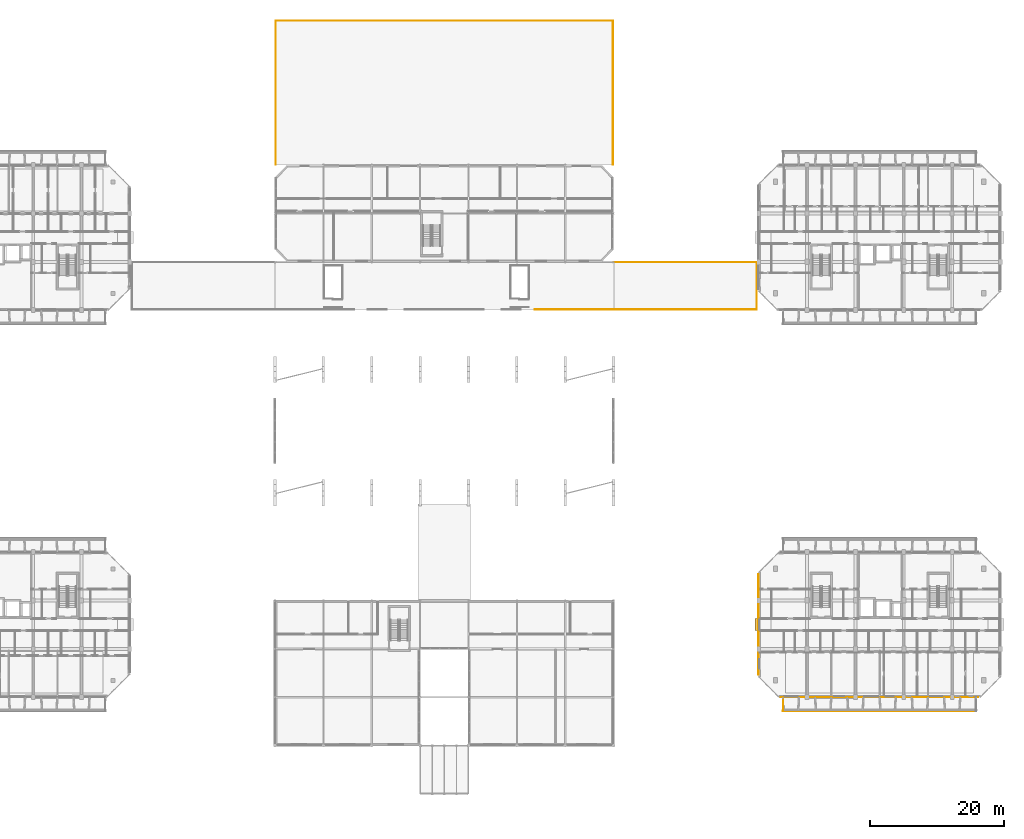
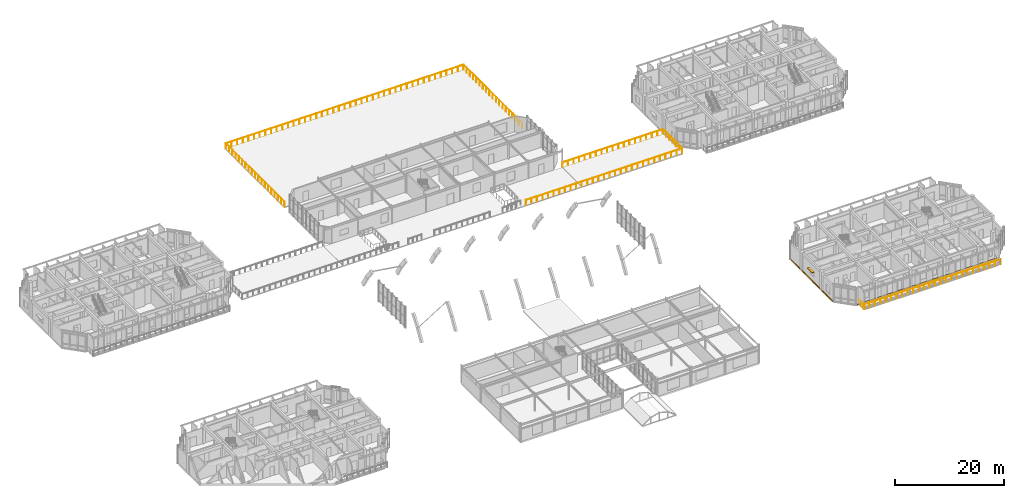
# One storey, part 78 of 85: 5 railings, 2 coverings, 1 shading device.
"""IFC4 building model written with IfcOpenShell, lengths in metres."""

from ifc_helpers import new_model, si_unit, direction, frame, origin, origin_2d, place, context, subcontext, project, spatial, rectangle, circle, extrude, material, layer, layer_set, type_object, element, save


model = new_model("IFC4")

# Units and contexts
model_context = context("Model", 3, precision=1e-05, world=origin(), true_north=direction((0.0, 1.0)))
body_context = subcontext(model_context, "Body", "Model", "MODEL_VIEW")
ifc_project = project(units=[si_unit("LENGTHUNIT", "METRE"), si_unit("AREAUNIT", "SQUARE_METRE"), si_unit("VOLUMEUNIT", "CUBIC_METRE"), si_unit("PLANEANGLEUNIT", "RADIAN"), si_unit("MASSUNIT", "GRAM", prefix="KILO")], contexts=[model_context])

# Site, building, storey
site_placement = place(None, origin())
site = spatial("IfcSite", under=ifc_project, at=site_placement, CompositionType="ELEMENT")
building_placement = place(site_placement, origin())
building = spatial("IfcBuilding", under=site, at=building_placement, Name="Ochrevale Crest", CompositionType="ELEMENT")
storey_placement = place(building_placement, frame((0.0, 0.0, 4.5)))
storey = spatial("IfcBuildingStorey", under=building, at=storey_placement, Name="L01", CompositionType="ELEMENT", Elevation=4.5)

# Coverings
ifc_material_1 = material(Name="Glazed terracotta rainscreen tile", Category="masonry")
ifc_layer = layer(ifc_material_1, 0.048095703125)
ifc_layer_set = layer_set([ifc_layer], Name="Glazed terracotta rainscreen tile")
covering_type = type_object("IfcCoveringType", Name="COV-CLAD-TER", PredefinedType="CLADDING", material=ifc_layer_set)
covering_1_placement = place(storey_placement, frame((147.60009765625, 14.387451171875, -0.26025390625), z_axis=(0.0, 0.0, 1.0), x_axis=(1.0, 0.0, 0.0)))
element("IfcCovering", 1, at=covering_1_placement, inside=storey, type_object=covering_type, Name="Block C L01 terracotta slab-edge spandrel cladding", PredefinedType="CLADDING", context=body_context, shape_type="SweptSolid", body=[
    extrude(rectangle(XDim=29.39990234375, YDim=0.06005859375, at=origin_2d()), origin(), (0.0, 0.0, 1.0), 0.280029296875),
])
covering_2_placement = place(storey_placement, frame((129.58544921875, 25.199951171875, -0.26025390625), z_axis=(0.0, 0.0, 1.0), x_axis=(0.0, -1.0, 0.0)))
element("IfcCovering", 2, at=covering_2_placement, inside=storey, type_object=covering_type, Name="Block C L01 terracotta slab-edge spandrel cladding", PredefinedType="CLADDING", context=body_context, shape_type="SweptSolid", body=[
    extrude(rectangle(XDim=15.0, YDim=0.06005859375, at=origin_2d()), origin(), (0.0, 0.0, 1.0), 0.280029296875),
])

# Railings
ifc_material_2 = material(Name="Galvanised steel", Category="steel")
railing_type_1 = type_object("IfcRailingType", Name="RL-BAL-1100", PredefinedType="BALUSTRADE", material=ifc_material_2)
railing_1_placement = place(storey_placement, frame((133.199951171875, 12.360107421875, 0.0)))
element("IfcRailing", 3, at=railing_1_placement, inside=storey, type_object=railing_type_1, Name="Block C L01 S balcony front balustrade", PredefinedType="BALUSTRADE", context=body_context, shape_type="SweptSolid", body=[
    extrude(circle(Radius=0.02392578125, at=origin_2d()), frame((0.0, 0.0, 1.0859375), z_axis=(1.0, 0.0, 0.0), x_axis=(0.0, 1.0, 0.0)), (0.0, 0.0, 1.0), 28.800048828125),
    extrude(circle(Radius=0.02099609375, at=origin_2d()), origin(), (0.0, 0.0, 1.0), 1.06201171875),
    extrude(circle(Radius=0.02099609375, at=origin_2d()), frame((1.152099609375, 0.0, 0.0)), (0.0, 0.0, 1.0), 1.06201171875),
    extrude(circle(Radius=0.02099609375, at=origin_2d()), frame((2.303955078125, 0.0, 0.0)), (0.0, 0.0, 1.0), 1.06201171875),
    extrude(circle(Radius=0.02099609375, at=origin_2d()), frame((3.4560546875, 0.0, 0.0)), (0.0, 0.0, 1.0), 1.06201171875),
    extrude(circle(Radius=0.02099609375, at=origin_2d()), frame((4.60791015625, 0.0, 0.0)), (0.0, 0.0, 1.0), 1.06201171875),
    extrude(circle(Radius=0.02099609375, at=origin_2d()), frame((5.760009765625, 0.0, 0.0)), (0.0, 0.0, 1.0), 1.06201171875),
    extrude(circle(Radius=0.02099609375, at=origin_2d()), frame((6.912109375, 0.0, 0.0)), (0.0, 0.0, 1.0), 1.06201171875),
    extrude(circle(Radius=0.02099609375, at=origin_2d()), frame((8.06396484375, 0.0, 0.0)), (0.0, 0.0, 1.0), 1.06201171875),
    extrude(circle(Radius=0.02099609375, at=origin_2d()), frame((9.216064453125, 0.0, 0.0)), (0.0, 0.0, 1.0), 1.06201171875),
    extrude(circle(Radius=0.02099609375, at=origin_2d()), frame((10.367919921875, 0.0, 0.0)), (0.0, 0.0, 1.0), 1.06201171875),
    extrude(circle(Radius=0.02099609375, at=origin_2d()), frame((11.52001953125, 0.0, 0.0)), (0.0, 0.0, 1.0), 1.06201171875),
    extrude(circle(Radius=0.02099609375, at=origin_2d()), frame((12.672119140625, 0.0, 0.0)), (0.0, 0.0, 1.0), 1.06201171875),
    extrude(circle(Radius=0.02099609375, at=origin_2d()), frame((13.823974609375, 0.0, 0.0)), (0.0, 0.0, 1.0), 1.06201171875),
    extrude(circle(Radius=0.02099609375, at=origin_2d()), frame((14.97607421875, 0.0, 0.0)), (0.0, 0.0, 1.0), 1.06201171875),
    extrude(circle(Radius=0.02099609375, at=origin_2d()), frame((16.1279296875, 0.0, 0.0)), (0.0, 0.0, 1.0), 1.06201171875),
    extrude(circle(Radius=0.02099609375, at=origin_2d()), frame((17.280029296875, 0.0, 0.0)), (0.0, 0.0, 1.0), 1.06201171875),
    extrude(circle(Radius=0.02099609375, at=origin_2d()), frame((18.43212890625, 0.0, 0.0)), (0.0, 0.0, 1.0), 1.06201171875),
    extrude(circle(Radius=0.02099609375, at=origin_2d()), frame((19.583984375, 0.0, 0.0)), (0.0, 0.0, 1.0), 1.06201171875),
    extrude(circle(Radius=0.02099609375, at=origin_2d()), frame((20.736083984375, 0.0, 0.0)), (0.0, 0.0, 1.0), 1.06201171875),
    extrude(circle(Radius=0.02099609375, at=origin_2d()), frame((21.887939453125, 0.0, 0.0)), (0.0, 0.0, 1.0), 1.06201171875),
    extrude(circle(Radius=0.02099609375, at=origin_2d()), frame((23.0400390625, 0.0, 0.0)), (0.0, 0.0, 1.0), 1.06201171875),
    extrude(circle(Radius=0.02099609375, at=origin_2d()), frame((24.192138671875, 0.0, 0.0)), (0.0, 0.0, 1.0), 1.06201171875),
    extrude(circle(Radius=0.02099609375, at=origin_2d()), frame((25.343994140625, 0.0, 0.0)), (0.0, 0.0, 1.0), 1.06201171875),
    extrude(circle(Radius=0.02099609375, at=origin_2d()), frame((26.49609375, 0.0, 0.0)), (0.0, 0.0, 1.0), 1.06201171875),
    extrude(circle(Radius=0.02099609375, at=origin_2d()), frame((27.64794921875, 0.0, 0.0)), (0.0, 0.0, 1.0), 1.06201171875),
    extrude(circle(Radius=0.02099609375, at=origin_2d()), frame((28.800048828125, 0.0, 0.0)), (0.0, 0.0, 1.0), 1.06201171875),
])
railing_2_placement = place(storey_placement, frame((133.260009765625, 14.39990234375, 0.0)))
element("IfcRailing", 4, at=railing_2_placement, inside=storey, type_object=railing_type_1, Name="Block C L01 S-W balcony side guard", PredefinedType="BALUSTRADE", context=body_context, shape_type="SweptSolid", body=[
    extrude(circle(Radius=0.02392578125, at=origin_2d()), frame((0.0, 0.0, 1.0859375), z_axis=(0.0, -1.0, 0.0), x_axis=(1.0, 0.0, 0.0)), (0.0, 0.0, 1.0), 2.039794921875),
    extrude(circle(Radius=0.02099609375, at=origin_2d()), origin(), (0.0, 0.0, 1.0), 1.06201171875),
    extrude(circle(Radius=0.02099609375, at=origin_2d()), frame((0.0, -1.02001953125, 0.0)), (0.0, 0.0, 1.0), 1.06201171875),
    extrude(circle(Radius=0.02099609375, at=origin_2d()), frame((0.0, -2.039794921875, 0.0)), (0.0, 0.0, 1.0), 1.06201171875),
])
railing_type_2 = type_object("IfcRailingType", Name="RL-PLAY-1200", PredefinedType="BALUSTRADE", material=ifc_material_2)
railing_3_placement = place(storey_placement, frame((57.699951171875, 93.64990234375, 0.0)))
element("IfcRailing", 5, at=railing_3_placement, inside=storey, type_object=railing_type_2, Name="ECEC Reg 104 child-safe play-terrace perimeter balustrade", PredefinedType="BALUSTRADE", context=body_context, shape_type="SweptSolid", body=[
    extrude(circle(Radius=0.02392578125, at=origin_2d()), frame((0.0, 0.0, 1.17578125), z_axis=(0.0, 1.0, 0.0), x_axis=(-1.0, 0.0, 0.0)), (0.0, 0.0, 1.0), 21.4501953125),
    extrude(circle(Radius=0.02392578125, at=origin_2d()), frame((0.0, 21.4501953125, 1.17578125), z_axis=(1.0, 0.0, 0.0), x_axis=(0.0, 1.0, 0.0)), (0.0, 0.0, 1.0), 50.199951171875),
    extrude(circle(Radius=0.02392578125, at=origin_2d()), frame((50.199951171875, 21.4501953125, 1.17578125), z_axis=(0.0, -1.0, 0.0), x_axis=(1.0, 0.0, 0.0)), (0.0, 0.0, 1.0), 21.4501953125),
    extrude(circle(Radius=0.02099609375, at=origin_2d()), origin(), (0.0, 0.0, 1.0), 1.15185546875),
    extrude(circle(Radius=0.02099609375, at=origin_2d()), frame((0.0, 1.191650390625, 0.0)), (0.0, 0.0, 1.0), 1.15185546875),
    extrude(circle(Radius=0.02099609375, at=origin_2d()), frame((0.0, 2.38330078125, 0.0)), (0.0, 0.0, 1.0), 1.15185546875),
    extrude(circle(Radius=0.02099609375, at=origin_2d()), frame((0.0, 3.574951171875, 0.0)), (0.0, 0.0, 1.0), 1.15185546875),
    extrude(circle(Radius=0.02099609375, at=origin_2d()), frame((0.0, 4.7666015625, 0.0)), (0.0, 0.0, 1.0), 1.15185546875),
    extrude(circle(Radius=0.02099609375, at=origin_2d()), frame((0.0, 5.95849609375, 0.0)), (0.0, 0.0, 1.0), 1.15185546875),
    extrude(circle(Radius=0.02099609375, at=origin_2d()), frame((0.0, 7.150146484375, 0.0)), (0.0, 0.0, 1.0), 1.15185546875),
    extrude(circle(Radius=0.02099609375, at=origin_2d()), frame((0.0, 8.341796875, 0.0)), (0.0, 0.0, 1.0), 1.15185546875),
    extrude(circle(Radius=0.02099609375, at=origin_2d()), frame((0.0, 9.533447265625, 0.0)), (0.0, 0.0, 1.0), 1.15185546875),
    extrude(circle(Radius=0.02099609375, at=origin_2d()), frame((0.0, 10.72509765625, 0.0)), (0.0, 0.0, 1.0), 1.15185546875),
    extrude(circle(Radius=0.02099609375, at=origin_2d()), frame((0.0, 11.916748046875, 0.0)), (0.0, 0.0, 1.0), 1.15185546875),
    extrude(circle(Radius=0.02099609375, at=origin_2d()), frame((0.0, 13.1083984375, 0.0)), (0.0, 0.0, 1.0), 1.15185546875),
    extrude(circle(Radius=0.02099609375, at=origin_2d()), frame((0.0, 14.300048828125, 0.0)), (0.0, 0.0, 1.0), 1.15185546875),
    extrude(circle(Radius=0.02099609375, at=origin_2d()), frame((0.0, 15.49169921875, 0.0)), (0.0, 0.0, 1.0), 1.15185546875),
    extrude(circle(Radius=0.02099609375, at=origin_2d()), frame((0.0, 16.68359375, 0.0)), (0.0, 0.0, 1.0), 1.15185546875),
    extrude(circle(Radius=0.02099609375, at=origin_2d()), frame((0.0, 17.875244140625, 0.0)), (0.0, 0.0, 1.0), 1.15185546875),
    extrude(circle(Radius=0.02099609375, at=origin_2d()), frame((0.0, 19.06689453125, 0.0)), (0.0, 0.0, 1.0), 1.15185546875),
    extrude(circle(Radius=0.02099609375, at=origin_2d()), frame((0.0, 20.258544921875, 0.0)), (0.0, 0.0, 1.0), 1.15185546875),
    extrude(circle(Radius=0.02099609375, at=origin_2d()), frame((0.0, 21.4501953125, 0.0)), (0.0, 0.0, 1.0), 1.15185546875),
    extrude(circle(Radius=0.02099609375, at=origin_2d()), frame((1.1953125, 21.4501953125, 0.0)), (0.0, 0.0, 1.0), 1.15185546875),
    extrude(circle(Radius=0.02099609375, at=origin_2d()), frame((2.390380859375, 21.4501953125, 0.0)), (0.0, 0.0, 1.0), 1.15185546875),
    extrude(circle(Radius=0.02099609375, at=origin_2d()), frame((3.585693359375, 21.4501953125, 0.0)), (0.0, 0.0, 1.0), 1.15185546875),
    extrude(circle(Radius=0.02099609375, at=origin_2d()), frame((4.781005859375, 21.4501953125, 0.0)), (0.0, 0.0, 1.0), 1.15185546875),
    extrude(circle(Radius=0.02099609375, at=origin_2d()), frame((5.97607421875, 21.4501953125, 0.0)), (0.0, 0.0, 1.0), 1.15185546875),
    extrude(circle(Radius=0.02099609375, at=origin_2d()), frame((7.17138671875, 21.4501953125, 0.0)), (0.0, 0.0, 1.0), 1.15185546875),
    extrude(circle(Radius=0.02099609375, at=origin_2d()), frame((8.36669921875, 21.4501953125, 0.0)), (0.0, 0.0, 1.0), 1.15185546875),
    extrude(circle(Radius=0.02099609375, at=origin_2d()), frame((9.56201171875, 21.4501953125, 0.0)), (0.0, 0.0, 1.0), 1.15185546875),
    extrude(circle(Radius=0.02099609375, at=origin_2d()), frame((10.757080078125, 21.4501953125, 0.0)), (0.0, 0.0, 1.0), 1.15185546875),
    extrude(circle(Radius=0.02099609375, at=origin_2d()), frame((11.952392578125, 21.4501953125, 0.0)), (0.0, 0.0, 1.0), 1.15185546875),
    extrude(circle(Radius=0.02099609375, at=origin_2d()), frame((13.147705078125, 21.4501953125, 0.0)), (0.0, 0.0, 1.0), 1.15185546875),
    extrude(circle(Radius=0.02099609375, at=origin_2d()), frame((14.3427734375, 21.4501953125, 0.0)), (0.0, 0.0, 1.0), 1.15185546875),
    extrude(circle(Radius=0.02099609375, at=origin_2d()), frame((15.5380859375, 21.4501953125, 0.0)), (0.0, 0.0, 1.0), 1.15185546875),
    extrude(circle(Radius=0.02099609375, at=origin_2d()), frame((16.7333984375, 21.4501953125, 0.0)), (0.0, 0.0, 1.0), 1.15185546875),
    extrude(circle(Radius=0.02099609375, at=origin_2d()), frame((17.928466796875, 21.4501953125, 0.0)), (0.0, 0.0, 1.0), 1.15185546875),
    extrude(circle(Radius=0.02099609375, at=origin_2d()), frame((19.123779296875, 21.4501953125, 0.0)), (0.0, 0.0, 1.0), 1.15185546875),
    extrude(circle(Radius=0.02099609375, at=origin_2d()), frame((20.319091796875, 21.4501953125, 0.0)), (0.0, 0.0, 1.0), 1.15185546875),
    extrude(circle(Radius=0.02099609375, at=origin_2d()), frame((21.51416015625, 21.4501953125, 0.0)), (0.0, 0.0, 1.0), 1.15185546875),
    extrude(circle(Radius=0.02099609375, at=origin_2d()), frame((22.70947265625, 21.4501953125, 0.0)), (0.0, 0.0, 1.0), 1.15185546875),
    extrude(circle(Radius=0.02099609375, at=origin_2d()), frame((23.90478515625, 21.4501953125, 0.0)), (0.0, 0.0, 1.0), 1.15185546875),
    extrude(circle(Radius=0.02099609375, at=origin_2d()), frame((25.10009765625, 21.4501953125, 0.0)), (0.0, 0.0, 1.0), 1.15185546875),
    extrude(circle(Radius=0.02099609375, at=origin_2d()), frame((26.295166015625, 21.4501953125, 0.0)), (0.0, 0.0, 1.0), 1.15185546875),
    extrude(circle(Radius=0.02099609375, at=origin_2d()), frame((27.490478515625, 21.4501953125, 0.0)), (0.0, 0.0, 1.0), 1.15185546875),
    extrude(circle(Radius=0.02099609375, at=origin_2d()), frame((28.685791015625, 21.4501953125, 0.0)), (0.0, 0.0, 1.0), 1.15185546875),
    extrude(circle(Radius=0.02099609375, at=origin_2d()), frame((29.880859375, 21.4501953125, 0.0)), (0.0, 0.0, 1.0), 1.15185546875),
    extrude(circle(Radius=0.02099609375, at=origin_2d()), frame((31.076171875, 21.4501953125, 0.0)), (0.0, 0.0, 1.0), 1.15185546875),
    extrude(circle(Radius=0.02099609375, at=origin_2d()), frame((32.271484375, 21.4501953125, 0.0)), (0.0, 0.0, 1.0), 1.15185546875),
    extrude(circle(Radius=0.02099609375, at=origin_2d()), frame((33.466552734375, 21.4501953125, 0.0)), (0.0, 0.0, 1.0), 1.15185546875),
    extrude(circle(Radius=0.02099609375, at=origin_2d()), frame((34.661865234375, 21.4501953125, 0.0)), (0.0, 0.0, 1.0), 1.15185546875),
    extrude(circle(Radius=0.02099609375, at=origin_2d()), frame((35.857177734375, 21.4501953125, 0.0)), (0.0, 0.0, 1.0), 1.15185546875),
    extrude(circle(Radius=0.02099609375, at=origin_2d()), frame((37.05224609375, 21.4501953125, 0.0)), (0.0, 0.0, 1.0), 1.15185546875),
    extrude(circle(Radius=0.02099609375, at=origin_2d()), frame((38.24755859375, 21.4501953125, 0.0)), (0.0, 0.0, 1.0), 1.15185546875),
    extrude(circle(Radius=0.02099609375, at=origin_2d()), frame((39.44287109375, 21.4501953125, 0.0)), (0.0, 0.0, 1.0), 1.15185546875),
    extrude(circle(Radius=0.02099609375, at=origin_2d()), frame((40.637939453125, 21.4501953125, 0.0)), (0.0, 0.0, 1.0), 1.15185546875),
    extrude(circle(Radius=0.02099609375, at=origin_2d()), frame((41.833251953125, 21.4501953125, 0.0)), (0.0, 0.0, 1.0), 1.15185546875),
    extrude(circle(Radius=0.02099609375, at=origin_2d()), frame((43.028564453125, 21.4501953125, 0.0)), (0.0, 0.0, 1.0), 1.15185546875),
    extrude(circle(Radius=0.02099609375, at=origin_2d()), frame((44.223876953125, 21.4501953125, 0.0)), (0.0, 0.0, 1.0), 1.15185546875),
    extrude(circle(Radius=0.02099609375, at=origin_2d()), frame((45.4189453125, 21.4501953125, 0.0)), (0.0, 0.0, 1.0), 1.15185546875),
    extrude(circle(Radius=0.02099609375, at=origin_2d()), frame((46.6142578125, 21.4501953125, 0.0)), (0.0, 0.0, 1.0), 1.15185546875),
    extrude(circle(Radius=0.02099609375, at=origin_2d()), frame((47.8095703125, 21.4501953125, 0.0)), (0.0, 0.0, 1.0), 1.15185546875),
    extrude(circle(Radius=0.02099609375, at=origin_2d()), frame((49.004638671875, 21.4501953125, 0.0)), (0.0, 0.0, 1.0), 1.15185546875),
    extrude(circle(Radius=0.02099609375, at=origin_2d()), frame((50.199951171875, 21.4501953125, 0.0)), (0.0, 0.0, 1.0), 1.15185546875),
    extrude(circle(Radius=0.02099609375, at=origin_2d()), frame((50.199951171875, 20.258544921875, 0.0)), (0.0, 0.0, 1.0), 1.15185546875),
    extrude(circle(Radius=0.02099609375, at=origin_2d()), frame((50.199951171875, 19.06689453125, 0.0)), (0.0, 0.0, 1.0), 1.15185546875),
    extrude(circle(Radius=0.02099609375, at=origin_2d()), frame((50.199951171875, 17.875244140625, 0.0)), (0.0, 0.0, 1.0), 1.15185546875),
    extrude(circle(Radius=0.02099609375, at=origin_2d()), frame((50.199951171875, 16.68359375, 0.0)), (0.0, 0.0, 1.0), 1.15185546875),
    extrude(circle(Radius=0.02099609375, at=origin_2d()), frame((50.199951171875, 15.49169921875, 0.0)), (0.0, 0.0, 1.0), 1.15185546875),
    extrude(circle(Radius=0.02099609375, at=origin_2d()), frame((50.199951171875, 14.300048828125, 0.0)), (0.0, 0.0, 1.0), 1.15185546875),
    extrude(circle(Radius=0.02099609375, at=origin_2d()), frame((50.199951171875, 13.1083984375, 0.0)), (0.0, 0.0, 1.0), 1.15185546875),
    extrude(circle(Radius=0.02099609375, at=origin_2d()), frame((50.199951171875, 11.916748046875, 0.0)), (0.0, 0.0, 1.0), 1.15185546875),
    extrude(circle(Radius=0.02099609375, at=origin_2d()), frame((50.199951171875, 10.72509765625, 0.0)), (0.0, 0.0, 1.0), 1.15185546875),
    extrude(circle(Radius=0.02099609375, at=origin_2d()), frame((50.199951171875, 9.533447265625, 0.0)), (0.0, 0.0, 1.0), 1.15185546875),
    extrude(circle(Radius=0.02099609375, at=origin_2d()), frame((50.199951171875, 8.341796875, 0.0)), (0.0, 0.0, 1.0), 1.15185546875),
    extrude(circle(Radius=0.02099609375, at=origin_2d()), frame((50.199951171875, 7.150146484375, 0.0)), (0.0, 0.0, 1.0), 1.15185546875),
    extrude(circle(Radius=0.02099609375, at=origin_2d()), frame((50.199951171875, 5.95849609375, 0.0)), (0.0, 0.0, 1.0), 1.15185546875),
    extrude(circle(Radius=0.02099609375, at=origin_2d()), frame((50.199951171875, 4.7666015625, 0.0)), (0.0, 0.0, 1.0), 1.15185546875),
    extrude(circle(Radius=0.02099609375, at=origin_2d()), frame((50.199951171875, 3.574951171875, 0.0)), (0.0, 0.0, 1.0), 1.15185546875),
    extrude(circle(Radius=0.02099609375, at=origin_2d()), frame((50.199951171875, 2.38330078125, 0.0)), (0.0, 0.0, 1.0), 1.15185546875),
    extrude(circle(Radius=0.02099609375, at=origin_2d()), frame((50.199951171875, 1.191650390625, 0.0)), (0.0, 0.0, 1.0), 1.15185546875),
    extrude(circle(Radius=0.02099609375, at=origin_2d()), frame((50.199951171875, 0.0, 0.0)), (0.0, 0.0, 1.0), 1.15185546875),
])
railing_type_3 = type_object("IfcRailingType", Name="RL-TER-1120", PredefinedType="BALUSTRADE", material=ifc_material_2)
railing_4_placement = place(storey_placement, frame((96.25, 72.10009765625, 0.0)))
element("IfcRailing", 6, at=railing_4_placement, inside=storey, type_object=railing_type_3, Name="Step 3 promenade south balustrade 5", PredefinedType="BALUSTRADE", context=body_context, shape_type="SweptSolid", body=[
    extrude(circle(Radius=0.02392578125, at=origin_2d()), frame((0.0, 0.0, 1.09619140625), z_axis=(1.0, 0.0, 0.0), x_axis=(0.0, 1.0, 0.0)), (0.0, 0.0, 1.0), 33.050048828125),
    extrude(circle(Radius=0.02099609375, at=origin_2d()), origin(), (0.0, 0.0, 1.0), 1.072021484375),
    extrude(circle(Radius=0.02099609375, at=origin_2d()), frame((1.180419921875, 0.0, 0.0)), (0.0, 0.0, 1.0), 1.072021484375),
    extrude(circle(Radius=0.02099609375, at=origin_2d()), frame((2.36083984375, 0.0, 0.0)), (0.0, 0.0, 1.0), 1.072021484375),
    extrude(circle(Radius=0.02099609375, at=origin_2d()), frame((3.541015625, 0.0, 0.0)), (0.0, 0.0, 1.0), 1.072021484375),
    extrude(circle(Radius=0.02099609375, at=origin_2d()), frame((4.721435546875, 0.0, 0.0)), (0.0, 0.0, 1.0), 1.072021484375),
    extrude(circle(Radius=0.02099609375, at=origin_2d()), frame((5.90185546875, 0.0, 0.0)), (0.0, 0.0, 1.0), 1.072021484375),
    extrude(circle(Radius=0.02099609375, at=origin_2d()), frame((7.08203125, 0.0, 0.0)), (0.0, 0.0, 1.0), 1.072021484375),
    extrude(circle(Radius=0.02099609375, at=origin_2d()), frame((8.262451171875, 0.0, 0.0)), (0.0, 0.0, 1.0), 1.072021484375),
    extrude(circle(Radius=0.02099609375, at=origin_2d()), frame((9.44287109375, 0.0, 0.0)), (0.0, 0.0, 1.0), 1.072021484375),
    extrude(circle(Radius=0.02099609375, at=origin_2d()), frame((10.623291015625, 0.0, 0.0)), (0.0, 0.0, 1.0), 1.072021484375),
    extrude(circle(Radius=0.02099609375, at=origin_2d()), frame((11.8037109375, 0.0, 0.0)), (0.0, 0.0, 1.0), 1.072021484375),
    extrude(circle(Radius=0.02099609375, at=origin_2d()), frame((12.98388671875, 0.0, 0.0)), (0.0, 0.0, 1.0), 1.072021484375),
    extrude(circle(Radius=0.02099609375, at=origin_2d()), frame((14.164306640625, 0.0, 0.0)), (0.0, 0.0, 1.0), 1.072021484375),
    extrude(circle(Radius=0.02099609375, at=origin_2d()), frame((15.3447265625, 0.0, 0.0)), (0.0, 0.0, 1.0), 1.072021484375),
    extrude(circle(Radius=0.02099609375, at=origin_2d()), frame((16.52490234375, 0.0, 0.0)), (0.0, 0.0, 1.0), 1.072021484375),
    extrude(circle(Radius=0.02099609375, at=origin_2d()), frame((17.705322265625, 0.0, 0.0)), (0.0, 0.0, 1.0), 1.072021484375),
    extrude(circle(Radius=0.02099609375, at=origin_2d()), frame((18.8857421875, 0.0, 0.0)), (0.0, 0.0, 1.0), 1.072021484375),
    extrude(circle(Radius=0.02099609375, at=origin_2d()), frame((20.066162109375, 0.0, 0.0)), (0.0, 0.0, 1.0), 1.072021484375),
    extrude(circle(Radius=0.02099609375, at=origin_2d()), frame((21.24658203125, 0.0, 0.0)), (0.0, 0.0, 1.0), 1.072021484375),
    extrude(circle(Radius=0.02099609375, at=origin_2d()), frame((22.4267578125, 0.0, 0.0)), (0.0, 0.0, 1.0), 1.072021484375),
    extrude(circle(Radius=0.02099609375, at=origin_2d()), frame((23.607177734375, 0.0, 0.0)), (0.0, 0.0, 1.0), 1.072021484375),
    extrude(circle(Radius=0.02099609375, at=origin_2d()), frame((24.78759765625, 0.0, 0.0)), (0.0, 0.0, 1.0), 1.072021484375),
    extrude(circle(Radius=0.02099609375, at=origin_2d()), frame((25.9677734375, 0.0, 0.0)), (0.0, 0.0, 1.0), 1.072021484375),
    extrude(circle(Radius=0.02099609375, at=origin_2d()), frame((27.148193359375, 0.0, 0.0)), (0.0, 0.0, 1.0), 1.072021484375),
    extrude(circle(Radius=0.02099609375, at=origin_2d()), frame((28.32861328125, 0.0, 0.0)), (0.0, 0.0, 1.0), 1.072021484375),
    extrude(circle(Radius=0.02099609375, at=origin_2d()), frame((29.509033203125, 0.0, 0.0)), (0.0, 0.0, 1.0), 1.072021484375),
    extrude(circle(Radius=0.02099609375, at=origin_2d()), frame((30.689453125, 0.0, 0.0)), (0.0, 0.0, 1.0), 1.072021484375),
    extrude(circle(Radius=0.02099609375, at=origin_2d()), frame((31.86962890625, 0.0, 0.0)), (0.0, 0.0, 1.0), 1.072021484375),
    extrude(circle(Radius=0.02099609375, at=origin_2d()), frame((33.050048828125, 0.0, 0.0)), (0.0, 0.0, 1.0), 1.072021484375),
])
railing_5_placement = place(storey_placement, frame((129.300048828125, 72.10009765625, 0.0)))
element("IfcRailing", 7, at=railing_5_placement, inside=storey, type_object=railing_type_3, Name="Step 3 promenade east balustrade", PredefinedType="BALUSTRADE", context=body_context, shape_type="SweptSolid", body=[
    extrude(circle(Radius=0.02392578125, at=origin_2d()), frame((0.0, 0.0, 1.09619140625), z_axis=(0.0, 1.0, 0.0), x_axis=(-1.0, 0.0, 0.0)), (0.0, 0.0, 1.0), 7.0498046875),
    extrude(circle(Radius=0.02392578125, at=origin_2d()), frame((0.0, 7.0498046875, 1.09619140625), z_axis=(-1.0, 0.0, 0.0), x_axis=(0.0, -1.0, 0.0)), (0.0, 0.0, 1.0), 21.25),
    extrude(circle(Radius=0.02099609375, at=origin_2d()), origin(), (0.0, 0.0, 1.0), 1.072021484375),
    extrude(circle(Radius=0.02099609375, at=origin_2d()), frame((0.0, 1.175048828125, 0.0)), (0.0, 0.0, 1.0), 1.072021484375),
    extrude(circle(Radius=0.02099609375, at=origin_2d()), frame((0.0, 2.349853515625, 0.0)), (0.0, 0.0, 1.0), 1.072021484375),
    extrude(circle(Radius=0.02099609375, at=origin_2d()), frame((0.0, 3.52490234375, 0.0)), (0.0, 0.0, 1.0), 1.072021484375),
    extrude(circle(Radius=0.02099609375, at=origin_2d()), frame((0.0, 4.699951171875, 0.0)), (0.0, 0.0, 1.0), 1.072021484375),
    extrude(circle(Radius=0.02099609375, at=origin_2d()), frame((0.0, 5.874755859375, 0.0)), (0.0, 0.0, 1.0), 1.072021484375),
    extrude(circle(Radius=0.02099609375, at=origin_2d()), frame((0.0, 7.0498046875, 0.0)), (0.0, 0.0, 1.0), 1.072021484375),
    extrude(circle(Radius=0.02099609375, at=origin_2d()), frame((-1.1806640625, 7.0498046875, 0.0)), (0.0, 0.0, 1.0), 1.072021484375),
    extrude(circle(Radius=0.02099609375, at=origin_2d()), frame((-2.361083984375, 7.0498046875, 0.0)), (0.0, 0.0, 1.0), 1.072021484375),
    extrude(circle(Radius=0.02099609375, at=origin_2d()), frame((-3.541748046875, 7.0498046875, 0.0)), (0.0, 0.0, 1.0), 1.072021484375),
    extrude(circle(Radius=0.02099609375, at=origin_2d()), frame((-4.72216796875, 7.0498046875, 0.0)), (0.0, 0.0, 1.0), 1.072021484375),
    extrude(circle(Radius=0.02099609375, at=origin_2d()), frame((-5.90283203125, 7.0498046875, 0.0)), (0.0, 0.0, 1.0), 1.072021484375),
    extrude(circle(Radius=0.02099609375, at=origin_2d()), frame((-7.083251953125, 7.0498046875, 0.0)), (0.0, 0.0, 1.0), 1.072021484375),
    extrude(circle(Radius=0.02099609375, at=origin_2d()), frame((-8.263916015625, 7.0498046875, 0.0)), (0.0, 0.0, 1.0), 1.072021484375),
    extrude(circle(Radius=0.02099609375, at=origin_2d()), frame((-9.4443359375, 7.0498046875, 0.0)), (0.0, 0.0, 1.0), 1.072021484375),
    extrude(circle(Radius=0.02099609375, at=origin_2d()), frame((-10.625, 7.0498046875, 0.0)), (0.0, 0.0, 1.0), 1.072021484375),
    extrude(circle(Radius=0.02099609375, at=origin_2d()), frame((-11.8056640625, 7.0498046875, 0.0)), (0.0, 0.0, 1.0), 1.072021484375),
    extrude(circle(Radius=0.02099609375, at=origin_2d()), frame((-12.986083984375, 7.0498046875, 0.0)), (0.0, 0.0, 1.0), 1.072021484375),
    extrude(circle(Radius=0.02099609375, at=origin_2d()), frame((-14.166748046875, 7.0498046875, 0.0)), (0.0, 0.0, 1.0), 1.072021484375),
    extrude(circle(Radius=0.02099609375, at=origin_2d()), frame((-15.34716796875, 7.0498046875, 0.0)), (0.0, 0.0, 1.0), 1.072021484375),
    extrude(circle(Radius=0.02099609375, at=origin_2d()), frame((-16.52783203125, 7.0498046875, 0.0)), (0.0, 0.0, 1.0), 1.072021484375),
    extrude(circle(Radius=0.02099609375, at=origin_2d()), frame((-17.708251953125, 7.0498046875, 0.0)), (0.0, 0.0, 1.0), 1.072021484375),
    extrude(circle(Radius=0.02099609375, at=origin_2d()), frame((-18.888916015625, 7.0498046875, 0.0)), (0.0, 0.0, 1.0), 1.072021484375),
    extrude(circle(Radius=0.02099609375, at=origin_2d()), frame((-20.0693359375, 7.0498046875, 0.0)), (0.0, 0.0, 1.0), 1.072021484375),
    extrude(circle(Radius=0.02099609375, at=origin_2d()), frame((-21.25, 7.0498046875, 0.0)), (0.0, 0.0, 1.0), 1.072021484375),
])

# Shading device
ifc_material_3 = material(Name="Anodised aluminium 6063-T5", Category="aluminium")
shading_device_type = type_object("IfcShadingDeviceType", Name="SHD-SUNSHADE-OC", PredefinedType="USERDEFINED", material=ifc_material_3)
shading_device_placement = place(storey_placement, frame((129.360107421875, 25.199951171875, 2.2099609375), z_axis=(0.0, 0.0, 1.0), x_axis=(1.0, 0.0, 0.0)))
element("IfcShadingDevice", 8, at=shading_device_placement, inside=storey, type_object=shading_device_type, Name="Block C L01 gable window sunshade W", ObjectType="HORIZONTAL SUNSHADE", PredefinedType="USERDEFINED", context=body_context, shape_type="SweptSolid", body=[
    extrude(rectangle(XDim=0.550048828125, YDim=1.800048828125, at=origin_2d()), origin(), (0.0, 0.0, 1.0), 0.139892578125),
])

save(model, "model.ifc")
